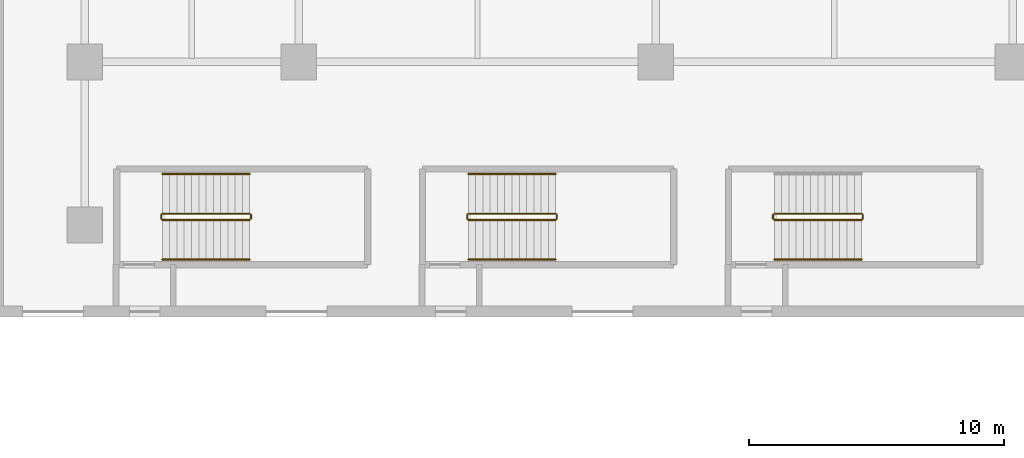
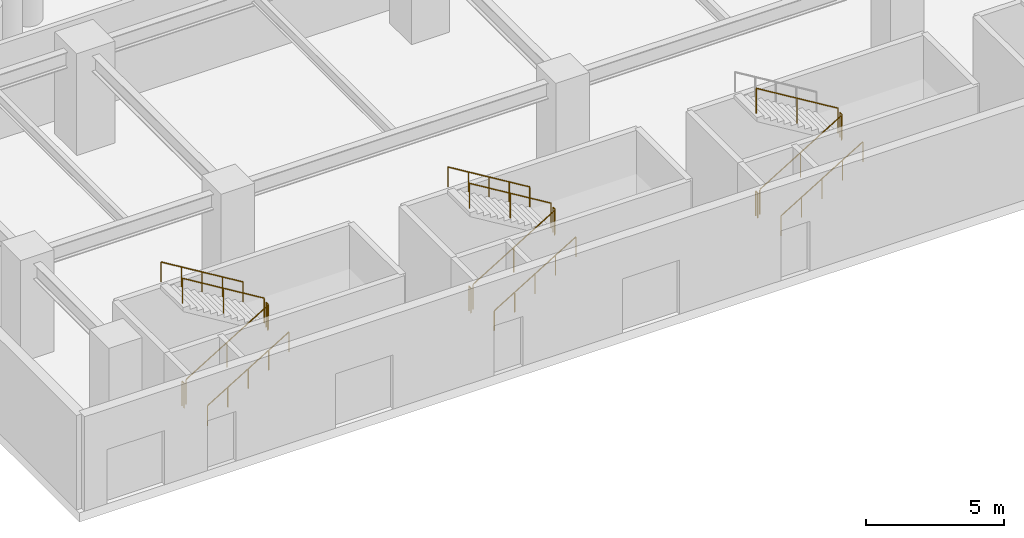
# One storey, part 34 of 42: 17 railings.
"""IFC4 building model written with IfcOpenShell, lengths in metres."""

from ifc_helpers import new_model, si_unit, direction, frame, origin, origin_2d, place, context, subcontext, project, spatial, circle, extrude, material, type_object, element, save


model = new_model("IFC4")

# Units and contexts
model_context = context("Model", 3, precision=1e-05, world=origin(), true_north=direction((0.0, 1.0)))
body_context = subcontext(model_context, "Body", "Model", "MODEL_VIEW")
ifc_project = project(units=[si_unit("LENGTHUNIT", "METRE"), si_unit("AREAUNIT", "SQUARE_METRE"), si_unit("VOLUMEUNIT", "CUBIC_METRE"), si_unit("PLANEANGLEUNIT", "RADIAN"), si_unit("MASSUNIT", "GRAM", prefix="KILO")], contexts=[model_context])

# Site, building, storey
site_placement = place(None, origin())
site = spatial("IfcSite", under=ifc_project, at=site_placement, CompositionType="ELEMENT")
building_placement = place(site_placement, origin())
building = spatial("IfcBuilding", under=site, at=building_placement, Name="Narakoshi Arena Tower", CompositionType="ELEMENT")
storey_placement = place(building_placement, origin())
storey = spatial("IfcBuildingStorey", under=building, at=storey_placement, Name="L00", CompositionType="ELEMENT", Elevation=0.0)

# Railings
ifc_material_1 = material(Name="Clear low-iron laminated structural glass", Category="glass")
railing_type_1 = type_object("IfcRailingType", Name="RL-BAL-1100", PredefinedType="BALUSTRADE", material=ifc_material_1)
railing_1_placement = place(storey_placement, frame((6.64990234375, 3.800048828125, 0.173095703125)))
element("IfcRailing", 1, at=railing_1_placement, inside=storey, type_object=railing_type_1, Name="L00 AST1 stair guard 1", PredefinedType="BALUSTRADE", context=body_context, shape_type="SweptSolid", body=[
    extrude(circle(Radius=0.02392578125, at=origin_2d()), frame((0.0, 0.0, 1.09619140625), z_axis=(0.854745945586, 0.0, 0.519046595696), x_axis=(0.0, 1.0, 0.0)), (0.0, 0.0, 1.0), 4.00146484375),
    extrude(circle(Radius=0.02099609375, at=origin_2d()), origin(), (0.0, 0.0, 1.0), 1.072021484375),
    extrude(circle(Radius=0.02099609375, at=origin_2d()), frame((1.7099609375, 0.0, 1.03857421875)), (0.0, 0.0, 1.0), 1.072021484375),
    extrude(circle(Radius=0.02099609375, at=origin_2d()), frame((3.420166015625, 0.0, 2.076904296875)), (0.0, 0.0, 1.0), 1.072021484375),
])
railing_2_placement = place(storey_placement, frame((10.1201171875, 3.85009765625, 2.25)))
element("IfcRailing", 2, at=railing_2_placement, inside=storey, type_object=railing_type_1, Name="L00 AST1 stair guard 2", PredefinedType="BALUSTRADE", context=body_context, shape_type="SweptSolid", body=[
    extrude(circle(Radius=0.02392578125, at=origin_2d()), frame((0.0, 0.0, 1.09619140625), z_axis=(0.0, 1.0, 0.0), x_axis=(-1.0, 0.0, 0.0)), (0.0, 0.0, 1.0), 0.14990234375),
    extrude(circle(Radius=0.02099609375, at=origin_2d()), origin(), (0.0, 0.0, 1.0), 1.072021484375),
    extrude(circle(Radius=0.02099609375, at=origin_2d()), frame((0.0, 0.14990234375, 0.0)), (0.0, 0.0, 1.0), 1.072021484375),
])
railing_3_placement = place(storey_placement, frame((10.070068359375, 4.050048828125, 2.423095703125)))
element("IfcRailing", 3, at=railing_3_placement, inside=storey, type_object=railing_type_1, Name="L00 AST1 stair guard 3", PredefinedType="BALUSTRADE", context=body_context, shape_type="SweptSolid", body=[
    extrude(circle(Radius=0.02392578125, at=origin_2d()), frame((0.0, 0.0, 1.09619140625), z_axis=(-0.854745945586, 0.0, 0.519046595696), x_axis=(0.0, -1.0, 0.0)), (0.0, 0.0, 1.0), 4.00146484375),
    extrude(circle(Radius=0.02099609375, at=origin_2d()), origin(), (0.0, 0.0, 1.0), 1.072021484375),
    extrude(circle(Radius=0.02099609375, at=origin_2d()), frame((-1.7099609375, 0.0, 1.03857421875)), (0.0, 0.0, 1.0), 1.072021484375),
    extrude(circle(Radius=0.02099609375, at=origin_2d()), frame((-3.420166015625, 0.0, 2.076904296875)), (0.0, 0.0, 1.0), 1.072021484375),
])
railing_4_placement = place(storey_placement, frame((6.60009765625, 3.85009765625, 0.0)))
element("IfcRailing", 4, at=railing_4_placement, inside=storey, type_object=railing_type_1, Name="L00 AST1 stair guard 4", PredefinedType="BALUSTRADE", context=body_context, shape_type="SweptSolid", body=[
    extrude(circle(Radius=0.02392578125, at=origin_2d()), frame((0.0, 0.0, 1.09619140625), z_axis=(0.0, 1.0, 0.0), x_axis=(-1.0, 0.0, 0.0)), (0.0, 0.0, 1.0), 0.14990234375),
    extrude(circle(Radius=0.02099609375, at=origin_2d()), origin(), (0.0, 0.0, 1.0), 1.072021484375),
    extrude(circle(Radius=0.02099609375, at=origin_2d()), frame((0.0, 0.14990234375, 0.0)), (0.0, 0.0, 1.0), 1.072021484375),
])
railing_5_placement = place(storey_placement, frame((18.64990234375, 3.800048828125, 0.173095703125)))
element("IfcRailing", 5, at=railing_5_placement, inside=storey, type_object=railing_type_1, Name="L00 AST2 stair guard 1", PredefinedType="BALUSTRADE", context=body_context, shape_type="SweptSolid", body=[
    extrude(circle(Radius=0.02392578125, at=origin_2d()), frame((0.0, 0.0, 1.09619140625), z_axis=(0.854745945586, 0.0, 0.519046595696), x_axis=(0.0, 1.0, 0.0)), (0.0, 0.0, 1.0), 4.00146484375),
    extrude(circle(Radius=0.02099609375, at=origin_2d()), origin(), (0.0, 0.0, 1.0), 1.072021484375),
    extrude(circle(Radius=0.02099609375, at=origin_2d()), frame((1.7099609375, 0.0, 1.03857421875)), (0.0, 0.0, 1.0), 1.072021484375),
    extrude(circle(Radius=0.02099609375, at=origin_2d()), frame((3.420166015625, 0.0, 2.076904296875)), (0.0, 0.0, 1.0), 1.072021484375),
])
railing_6_placement = place(storey_placement, frame((22.1201171875, 3.85009765625, 2.25)))
element("IfcRailing", 6, at=railing_6_placement, inside=storey, type_object=railing_type_1, Name="L00 AST2 stair guard 2", PredefinedType="BALUSTRADE", context=body_context, shape_type="SweptSolid", body=[
    extrude(circle(Radius=0.02392578125, at=origin_2d()), frame((0.0, 0.0, 1.09619140625), z_axis=(0.0, 1.0, 0.0), x_axis=(-1.0, 0.0, 0.0)), (0.0, 0.0, 1.0), 0.14990234375),
    extrude(circle(Radius=0.02099609375, at=origin_2d()), origin(), (0.0, 0.0, 1.0), 1.072021484375),
    extrude(circle(Radius=0.02099609375, at=origin_2d()), frame((0.0, 0.14990234375, 0.0)), (0.0, 0.0, 1.0), 1.072021484375),
])
railing_7_placement = place(storey_placement, frame((22.070068359375, 4.050048828125, 2.423095703125)))
element("IfcRailing", 7, at=railing_7_placement, inside=storey, type_object=railing_type_1, Name="L00 AST2 stair guard 3", PredefinedType="BALUSTRADE", context=body_context, shape_type="SweptSolid", body=[
    extrude(circle(Radius=0.02392578125, at=origin_2d()), frame((0.0, 0.0, 1.09619140625), z_axis=(-0.854745945586, 0.0, 0.519046595696), x_axis=(0.0, -1.0, 0.0)), (0.0, 0.0, 1.0), 4.00146484375),
    extrude(circle(Radius=0.02099609375, at=origin_2d()), origin(), (0.0, 0.0, 1.0), 1.072021484375),
    extrude(circle(Radius=0.02099609375, at=origin_2d()), frame((-1.7099609375, 0.0, 1.03857421875)), (0.0, 0.0, 1.0), 1.072021484375),
    extrude(circle(Radius=0.02099609375, at=origin_2d()), frame((-3.420166015625, 0.0, 2.076904296875)), (0.0, 0.0, 1.0), 1.072021484375),
])
railing_8_placement = place(storey_placement, frame((18.60009765625, 3.85009765625, 0.0)))
element("IfcRailing", 8, at=railing_8_placement, inside=storey, type_object=railing_type_1, Name="L00 AST2 stair guard 4", PredefinedType="BALUSTRADE", context=body_context, shape_type="SweptSolid", body=[
    extrude(circle(Radius=0.02392578125, at=origin_2d()), frame((0.0, 0.0, 1.09619140625), z_axis=(0.0, 1.0, 0.0), x_axis=(-1.0, 0.0, 0.0)), (0.0, 0.0, 1.0), 0.14990234375),
    extrude(circle(Radius=0.02099609375, at=origin_2d()), origin(), (0.0, 0.0, 1.0), 1.072021484375),
    extrude(circle(Radius=0.02099609375, at=origin_2d()), frame((0.0, 0.14990234375, 0.0)), (0.0, 0.0, 1.0), 1.072021484375),
])
railing_9_placement = place(storey_placement, frame((30.64990234375, 3.800048828125, 0.173095703125)))
element("IfcRailing", 9, at=railing_9_placement, inside=storey, type_object=railing_type_1, Name="L00 AST3 stair guard 1", PredefinedType="BALUSTRADE", context=body_context, shape_type="SweptSolid", body=[
    extrude(circle(Radius=0.02392578125, at=origin_2d()), frame((0.0, 0.0, 1.09619140625), z_axis=(0.854745945586, 0.0, 0.519046595696), x_axis=(0.0, 1.0, 0.0)), (0.0, 0.0, 1.0), 4.00146484375),
    extrude(circle(Radius=0.02099609375, at=origin_2d()), origin(), (0.0, 0.0, 1.0), 1.072021484375),
    extrude(circle(Radius=0.02099609375, at=origin_2d()), frame((1.7099609375, 0.0, 1.03857421875)), (0.0, 0.0, 1.0), 1.072021484375),
    extrude(circle(Radius=0.02099609375, at=origin_2d()), frame((3.420166015625, 0.0, 2.076904296875)), (0.0, 0.0, 1.0), 1.072021484375),
])
railing_10_placement = place(storey_placement, frame((34.1201171875, 3.85009765625, 2.25)))
element("IfcRailing", 10, at=railing_10_placement, inside=storey, type_object=railing_type_1, Name="L00 AST3 stair guard 2", PredefinedType="BALUSTRADE", context=body_context, shape_type="SweptSolid", body=[
    extrude(circle(Radius=0.02392578125, at=origin_2d()), frame((0.0, 0.0, 1.09619140625), z_axis=(0.0, 1.0, 0.0), x_axis=(-1.0, 0.0, 0.0)), (0.0, 0.0, 1.0), 0.14990234375),
    extrude(circle(Radius=0.02099609375, at=origin_2d()), origin(), (0.0, 0.0, 1.0), 1.072021484375),
    extrude(circle(Radius=0.02099609375, at=origin_2d()), frame((0.0, 0.14990234375, 0.0)), (0.0, 0.0, 1.0), 1.072021484375),
])
railing_11_placement = place(storey_placement, frame((34.070068359375, 4.050048828125, 2.423095703125)))
element("IfcRailing", 11, at=railing_11_placement, inside=storey, type_object=railing_type_1, Name="L00 AST3 stair guard 3", PredefinedType="BALUSTRADE", context=body_context, shape_type="SweptSolid", body=[
    extrude(circle(Radius=0.02392578125, at=origin_2d()), frame((0.0, 0.0, 1.09619140625), z_axis=(-0.854745945586, 0.0, 0.519046595696), x_axis=(0.0, -1.0, 0.0)), (0.0, 0.0, 1.0), 4.00146484375),
    extrude(circle(Radius=0.02099609375, at=origin_2d()), origin(), (0.0, 0.0, 1.0), 1.072021484375),
    extrude(circle(Radius=0.02099609375, at=origin_2d()), frame((-1.7099609375, 0.0, 1.03857421875)), (0.0, 0.0, 1.0), 1.072021484375),
    extrude(circle(Radius=0.02099609375, at=origin_2d()), frame((-3.420166015625, 0.0, 2.076904296875)), (0.0, 0.0, 1.0), 1.072021484375),
])
railing_12_placement = place(storey_placement, frame((30.60009765625, 3.85009765625, 0.0)))
element("IfcRailing", 12, at=railing_12_placement, inside=storey, type_object=railing_type_1, Name="L00 AST3 stair guard 4", PredefinedType="BALUSTRADE", context=body_context, shape_type="SweptSolid", body=[
    extrude(circle(Radius=0.02392578125, at=origin_2d()), frame((0.0, 0.0, 1.09619140625), z_axis=(0.0, 1.0, 0.0), x_axis=(-1.0, 0.0, 0.0)), (0.0, 0.0, 1.0), 0.14990234375),
    extrude(circle(Radius=0.02099609375, at=origin_2d()), origin(), (0.0, 0.0, 1.0), 1.072021484375),
    extrude(circle(Radius=0.02099609375, at=origin_2d()), frame((0.0, 0.14990234375, 0.0)), (0.0, 0.0, 1.0), 1.072021484375),
])
ifc_material_2 = material(Name="Brushed bronze stainless steel", Category="steel")
railing_type_2 = type_object("IfcRailingType", Name="RL-HND-900", PredefinedType="HANDRAIL", material=ifc_material_2)
railing_13_placement = place(storey_placement, frame((6.64990234375, 2.25, 0.173095703125)))
element("IfcRailing", 13, at=railing_13_placement, inside=storey, type_object=railing_type_2, Name="L00 AST1 stair handrail 1", PredefinedType="HANDRAIL", context=body_context, shape_type="SweptSolid", body=[
    extrude(circle(Radius=0.02392578125, at=origin_2d()), frame((0.0, 0.0, 0.8759765625), z_axis=(0.854745945586, 0.0, 0.519046595696), x_axis=(0.0, 1.0, 0.0)), (0.0, 0.0, 1.0), 4.00146484375),
    extrude(circle(Radius=0.02099609375, at=origin_2d()), origin(), (0.0, 0.0, 1.0), 0.851806640625),
    extrude(circle(Radius=0.02099609375, at=origin_2d()), frame((0.85498046875, 0.0, 0.519287109375)), (0.0, 0.0, 1.0), 0.851806640625),
    extrude(circle(Radius=0.02099609375, at=origin_2d()), frame((1.7099609375, 0.0, 1.03857421875)), (0.0, 0.0, 1.0), 0.851806640625),
    extrude(circle(Radius=0.02099609375, at=origin_2d()), frame((2.565185546875, 0.0, 1.5576171875)), (0.0, 0.0, 1.0), 0.851806640625),
    extrude(circle(Radius=0.02099609375, at=origin_2d()), frame((3.420166015625, 0.0, 2.076904296875)), (0.0, 0.0, 1.0), 0.851806640625),
])
railing_14_placement = place(storey_placement, frame((10.070068359375, 5.60009765625, 2.423095703125)))
element("IfcRailing", 14, at=railing_14_placement, inside=storey, type_object=railing_type_2, Name="L00 AST1 stair handrail 2", PredefinedType="HANDRAIL", context=body_context, shape_type="SweptSolid", body=[
    extrude(circle(Radius=0.02392578125, at=origin_2d()), frame((0.0, 0.0, 0.8759765625), z_axis=(-0.854745945586, 0.0, 0.519046595696), x_axis=(0.0, -1.0, 0.0)), (0.0, 0.0, 1.0), 4.00146484375),
    extrude(circle(Radius=0.02099609375, at=origin_2d()), origin(), (0.0, 0.0, 1.0), 0.851806640625),
    extrude(circle(Radius=0.02099609375, at=origin_2d()), frame((-0.85498046875, 0.0, 0.519287109375)), (0.0, 0.0, 1.0), 0.851806640625),
    extrude(circle(Radius=0.02099609375, at=origin_2d()), frame((-1.7099609375, 0.0, 1.03857421875)), (0.0, 0.0, 1.0), 0.851806640625),
    extrude(circle(Radius=0.02099609375, at=origin_2d()), frame((-2.565185546875, 0.0, 1.5576171875)), (0.0, 0.0, 1.0), 0.851806640625),
    extrude(circle(Radius=0.02099609375, at=origin_2d()), frame((-3.420166015625, 0.0, 2.076904296875)), (0.0, 0.0, 1.0), 0.851806640625),
])
railing_15_placement = place(storey_placement, frame((18.64990234375, 2.25, 0.173095703125)))
element("IfcRailing", 15, at=railing_15_placement, inside=storey, type_object=railing_type_2, Name="L00 AST2 stair handrail 1", PredefinedType="HANDRAIL", context=body_context, shape_type="SweptSolid", body=[
    extrude(circle(Radius=0.02392578125, at=origin_2d()), frame((0.0, 0.0, 0.8759765625), z_axis=(0.854745945586, 0.0, 0.519046595696), x_axis=(0.0, 1.0, 0.0)), (0.0, 0.0, 1.0), 4.00146484375),
    extrude(circle(Radius=0.02099609375, at=origin_2d()), origin(), (0.0, 0.0, 1.0), 0.851806640625),
    extrude(circle(Radius=0.02099609375, at=origin_2d()), frame((0.85498046875, 0.0, 0.519287109375)), (0.0, 0.0, 1.0), 0.851806640625),
    extrude(circle(Radius=0.02099609375, at=origin_2d()), frame((1.7099609375, 0.0, 1.03857421875)), (0.0, 0.0, 1.0), 0.851806640625),
    extrude(circle(Radius=0.02099609375, at=origin_2d()), frame((2.565185546875, 0.0, 1.5576171875)), (0.0, 0.0, 1.0), 0.851806640625),
    extrude(circle(Radius=0.02099609375, at=origin_2d()), frame((3.420166015625, 0.0, 2.076904296875)), (0.0, 0.0, 1.0), 0.851806640625),
])
railing_16_placement = place(storey_placement, frame((22.070068359375, 5.60009765625, 2.423095703125)))
element("IfcRailing", 16, at=railing_16_placement, inside=storey, type_object=railing_type_2, Name="L00 AST2 stair handrail 2", PredefinedType="HANDRAIL", context=body_context, shape_type="SweptSolid", body=[
    extrude(circle(Radius=0.02392578125, at=origin_2d()), frame((0.0, 0.0, 0.8759765625), z_axis=(-0.854745945586, 0.0, 0.519046595696), x_axis=(0.0, -1.0, 0.0)), (0.0, 0.0, 1.0), 4.00146484375),
    extrude(circle(Radius=0.02099609375, at=origin_2d()), origin(), (0.0, 0.0, 1.0), 0.851806640625),
    extrude(circle(Radius=0.02099609375, at=origin_2d()), frame((-0.85498046875, 0.0, 0.519287109375)), (0.0, 0.0, 1.0), 0.851806640625),
    extrude(circle(Radius=0.02099609375, at=origin_2d()), frame((-1.7099609375, 0.0, 1.03857421875)), (0.0, 0.0, 1.0), 0.851806640625),
    extrude(circle(Radius=0.02099609375, at=origin_2d()), frame((-2.565185546875, 0.0, 1.5576171875)), (0.0, 0.0, 1.0), 0.851806640625),
    extrude(circle(Radius=0.02099609375, at=origin_2d()), frame((-3.420166015625, 0.0, 2.076904296875)), (0.0, 0.0, 1.0), 0.851806640625),
])
railing_17_placement = place(storey_placement, frame((30.64990234375, 2.25, 0.173095703125)))
element("IfcRailing", 17, at=railing_17_placement, inside=storey, type_object=railing_type_2, Name="L00 AST3 stair handrail 1", PredefinedType="HANDRAIL", context=body_context, shape_type="SweptSolid", body=[
    extrude(circle(Radius=0.02392578125, at=origin_2d()), frame((0.0, 0.0, 0.8759765625), z_axis=(0.854745945586, 0.0, 0.519046595696), x_axis=(0.0, 1.0, 0.0)), (0.0, 0.0, 1.0), 4.00146484375),
    extrude(circle(Radius=0.02099609375, at=origin_2d()), origin(), (0.0, 0.0, 1.0), 0.851806640625),
    extrude(circle(Radius=0.02099609375, at=origin_2d()), frame((0.85498046875, 0.0, 0.519287109375)), (0.0, 0.0, 1.0), 0.851806640625),
    extrude(circle(Radius=0.02099609375, at=origin_2d()), frame((1.7099609375, 0.0, 1.03857421875)), (0.0, 0.0, 1.0), 0.851806640625),
    extrude(circle(Radius=0.02099609375, at=origin_2d()), frame((2.565185546875, 0.0, 1.5576171875)), (0.0, 0.0, 1.0), 0.851806640625),
    extrude(circle(Radius=0.02099609375, at=origin_2d()), frame((3.420166015625, 0.0, 2.076904296875)), (0.0, 0.0, 1.0), 0.851806640625),
])

save(model, "model.ifc")
